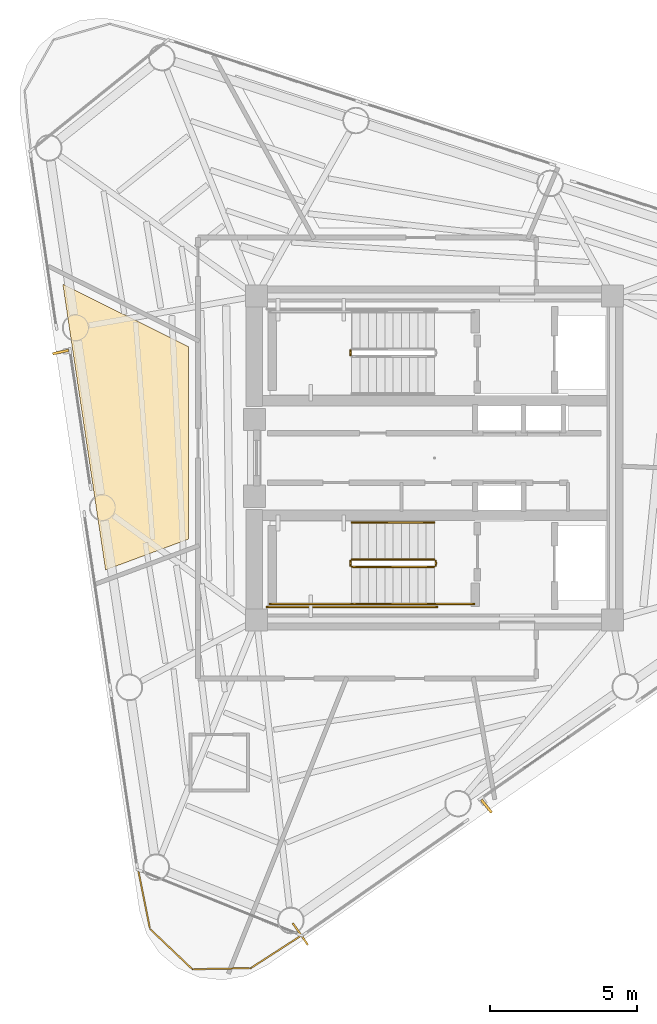
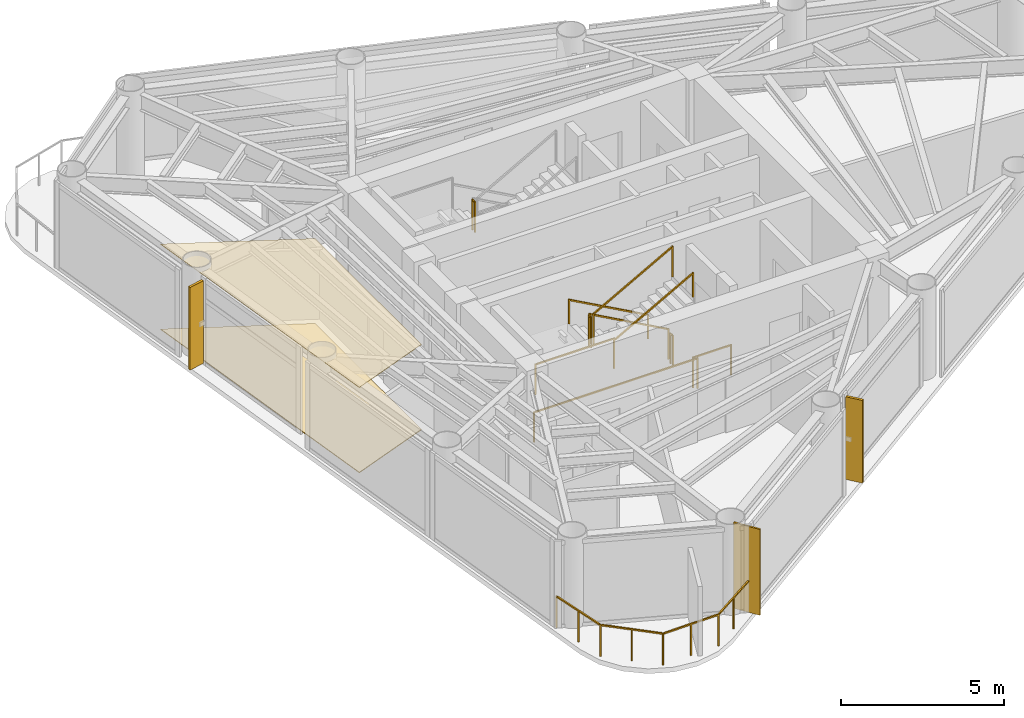
# One storey, part 7 of 9: 11 railings, 3 coverings, 2 shading devices.
"""IFC4 building model written with IfcOpenShell, lengths in metres."""

from ifc_helpers import new_model, si_unit, direction, frame, origin, origin_2d, place, context, subcontext, project, spatial, polyline, rectangle, outline, extrude, source, transform, mapped, material, layer, layer_set, material_profile, profile_set, type_object, element, save


model = new_model("IFC4")

# Units and contexts
model_context = context("Model", 3, precision=1e-05, world=origin(), true_north=direction((0.0, 1.0)))
body_context = subcontext(model_context, "Body", "Model", "MODEL_VIEW")
ifc_project = project(units=[si_unit("LENGTHUNIT", "METRE"), si_unit("AREAUNIT", "SQUARE_METRE"), si_unit("VOLUMEUNIT", "CUBIC_METRE"), si_unit("PLANEANGLEUNIT", "RADIAN"), si_unit("MASSUNIT", "GRAM", prefix="KILO")], contexts=[model_context])

# Site, building, storey
site_placement = place(None, origin())
site = spatial("IfcSite", under=ifc_project, at=site_placement, CompositionType="ELEMENT")
building_placement = place(site_placement, origin())
building = spatial("IfcBuilding", under=site, at=building_placement, Name="Yunling Apex Tower", CompositionType="ELEMENT")
storey_placement = place(building_placement, frame((0.0, 0.0, 267.75)))
storey = spatial("IfcBuildingStorey", under=building, at=storey_placement, Name="L65", CompositionType="ELEMENT", Elevation=267.75)

# Coverings
ifc_material_1 = material(Name="Acoustic mineral fibre ceiling")
ifc_layer_1 = layer(ifc_material_1, 0.02490234375)
ifc_layer_set_1 = layer_set([ifc_layer_1], Name="Acoustic mineral fibre ceiling")
covering_type_1 = type_object("IfcCoveringType", Name="CV-CLG-1", PredefinedType="CEILING", material=ifc_layer_set_1)
covering_1_placement = place(storey_placement, frame((0.0, 0.0, 3.195068359375)))
element("IfcCovering", 1, at=covering_1_placement, inside=storey, type_object=covering_type_1, Name="CV-CL-SP-L65-AMN7", PredefinedType="CEILING", context=body_context, shape_type="SweptSolid", body=[
    extrude(outline(polyline([(-11.17919921875, -3.805419921875), (-12.6298828125, 5.901123046875), (-8.3701171875, 3.78662109375), (-8.3701171875, -2.7607421875), (-11.17919921875, -3.805419921875)])), origin(), (0.0, 0.0, 1.0), 0.02490234375),
])
ifc_material_2 = material(Name="Polished granite stone", Category="masonry")
ifc_layer_2 = layer(ifc_material_2, 0.030029296875)
ifc_layer_set_2 = layer_set([ifc_layer_2], Name="Polished granite stone")
covering_type_2 = type_object("IfcCoveringType", Name="CV-FLR-1", PredefinedType="FLOORING", material=ifc_layer_set_2)
covering_2_placement = place(storey_placement, origin())
element("IfcCovering", 2, at=covering_2_placement, inside=storey, type_object=covering_type_2, Name="CV-FL-SP-L65-AMN7", PredefinedType="FLOORING", context=body_context, shape_type="SweptSolid", body=[
    extrude(outline(polyline([(-11.17919921875, -3.805419921875), (-12.6298828125, 5.901123046875), (-8.3701171875, 3.78662109375), (-8.3701171875, -2.7607421875), (-11.17919921875, -3.805419921875)])), origin(), (0.0, 0.0, 1.0), 0.030029296875),
])

# Railings
ifc_material_3 = material(Name="Bronze anodised aluminium", Category="aluminium")
railing_type_1 = type_object("IfcRailingType", Name="RL-BAL-1200", PredefinedType="BALUSTRADE", material=ifc_material_3)
railing_1_placement = place(storey_placement, frame((-4.528564453125, -16.22509765625, 0.0)))
element("IfcRailing", 3, at=railing_1_placement, inside=storey, type_object=railing_type_1, Name="RL-CRNSILL-L65-3", PredefinedType="BALUSTRADE", context=body_context, shape_type="SweptSolid", body=[
    extrude(rectangle(XDim=0.0439453125, YDim=0.0439453125, at=origin_2d()), origin(), (0.0, 0.0, 1.0), 1.199951171875),
    extrude(rectangle(XDim=0.0439453125, YDim=0.0439453125, at=origin_2d()), frame((-1.718017578125, -1.109130859375, 0.0)), (0.0, 0.0, 1.0), 1.199951171875),
    extrude(rectangle(XDim=0.050048828125, YDim=0.050048828125, at=origin_2d()), frame((-0.0322265625, -0.020751953125, 1.1748046875), z_axis=(-0.840133449473, -0.542379744345, 0.0), x_axis=(0.542379744345, -0.840133449473, 0.0)), (0.0, 0.0, 1.0), 1.96826171875),
    extrude(rectangle(XDim=0.0439453125, YDim=0.0439453125, at=origin_2d()), frame((-0.85888671875, -0.5546875, 0.0)), (0.0, 0.0, 1.0), 1.14599609375),
    extrude(rectangle(XDim=0.0439453125, YDim=0.0439453125, at=origin_2d()), frame((-3.700439453125, -1.147705078125, 0.0)), (0.0, 0.0, 1.0), 1.199951171875),
    extrude(rectangle(XDim=0.050048828125, YDim=0.050048828125, at=origin_2d()), frame((-1.75634765625, -1.10986328125, 1.1748046875), z_axis=(-0.999810744366, -0.019454445518, 0.0), x_axis=(0.019454445518, -0.999810744366, 0.0)), (0.0, 0.0, 1.0), 1.90625),
    extrude(rectangle(XDim=0.0439453125, YDim=0.0439453125, at=origin_2d()), frame((-2.709228515625, -1.12841796875, 0.0)), (0.0, 0.0, 1.0), 1.14599609375),
    extrude(rectangle(XDim=0.0439453125, YDim=0.0439453125, at=origin_2d()), frame((-5.141845703125, 0.223388671875, 0.0)), (0.0, 0.0, 1.0), 1.199951171875),
    extrude(rectangle(XDim=0.050048828125, YDim=0.050048828125, at=origin_2d()), frame((-3.728271484375, -1.121337890625, 1.1748046875), z_axis=(-0.72455806169, 0.689213765998, 0.0), x_axis=(-0.689213765998, -0.72455806169, 0.0)), (0.0, 0.0, 1.0), 1.91259765625),
    extrude(rectangle(XDim=0.0439453125, YDim=0.0439453125, at=origin_2d()), frame((-4.421142578125, -0.462158203125, 0.0)), (0.0, 0.0, 1.0), 1.14599609375),
    extrude(rectangle(XDim=0.0439453125, YDim=0.0439453125, at=origin_2d()), frame((-5.542236328125, 2.228271484375, 0.0)), (0.0, 0.0, 1.0), 1.199951171875),
    extrude(rectangle(XDim=0.050048828125, YDim=0.050048828125, at=origin_2d()), frame((-5.1494140625, 0.260986328125, 1.1748046875), z_axis=(-0.195840554381, 0.980635751571, 0.0), x_axis=(-0.980635751571, -0.195840554381, 0.0)), (0.0, 0.0, 1.0), 1.9677734375),
    extrude(rectangle(XDim=0.0439453125, YDim=0.0439453125, at=origin_2d()), frame((-5.342041015625, 1.225830078125, 0.0)), (0.0, 0.0, 1.0), 1.14599609375),
])
ifc_material_4 = material(Name="Steel Q355B", Category="steel")
railing_type_2 = type_object("IfcRailingType", Name="RL-GRD-1150", PredefinedType="GUARDRAIL", material=ifc_material_4)
railing_2_placement = place(storey_placement, frame((-2.860107421875, 3.64990234375, 1.699951171875)))
element("IfcRailing", 4, at=railing_2_placement, inside=storey, type_object=railing_type_2, Name="L65 ST-1 stair guard 2", PredefinedType="GUARDRAIL", context=body_context, shape_type="SweptSolid", body=[
    extrude(rectangle(XDim=0.0439453125, YDim=0.0439453125, at=origin_2d()), origin(), (0.0, 0.0, 1.0), 1.14990234375),
    extrude(rectangle(XDim=0.0439453125, YDim=0.0439453125, at=origin_2d()), frame((0.0, -0.14990234375, 0.0)), (0.0, 0.0, 1.0), 1.14990234375),
    extrude(rectangle(XDim=0.050048828125, YDim=0.050048828125, at=origin_2d()), frame((0.0, -0.038330078125, 1.125), z_axis=(0.0, -1.0, 0.0), x_axis=(1.0, 0.0, 0.0)), (0.0, 0.0, 1.0), 0.0732421875),
])
railing_3_placement = place(storey_placement, frame((-0.010009765625, -3.449951171875, 0.154541015625)))
element("IfcRailing", 5, at=railing_3_placement, inside=storey, type_object=railing_type_2, Name="L65 ST-2 stair guard 1", PredefinedType="GUARDRAIL", context=body_context, shape_type="SweptSolid", body=[
    extrude(rectangle(XDim=0.0439453125, YDim=0.0439453125, at=origin_2d()), origin(), (0.0, 0.0, 1.0), 1.14990234375),
    extrude(rectangle(XDim=0.0439453125, YDim=0.0439453125, at=origin_2d()), frame((-2.800048828125, 0.0, 1.54541015625)), (0.0, 0.0, 1.0), 1.14990234375),
    extrude(rectangle(XDim=0.050048828125, YDim=0.050048828125, at=origin_2d()), frame((-0.033447265625, 0.0, 1.143310546875), z_axis=(-0.875504190374, 0.0, 0.483210526207), x_axis=(0.0, -1.0, 0.0)), (0.0, 0.0, 1.0), 3.12158203125),
])
railing_4_placement = place(storey_placement, frame((-2.860107421875, -3.5, 1.699951171875)))
element("IfcRailing", 6, at=railing_4_placement, inside=storey, type_object=railing_type_2, Name="L65 ST-2 stair guard 2", PredefinedType="GUARDRAIL", context=body_context, shape_type="SweptSolid", body=[
    extrude(rectangle(XDim=0.0439453125, YDim=0.0439453125, at=origin_2d()), origin(), (0.0, 0.0, 1.0), 1.14990234375),
    extrude(rectangle(XDim=0.0439453125, YDim=0.0439453125, at=origin_2d()), frame((0.0, -0.14990234375, 0.0)), (0.0, 0.0, 1.0), 1.14990234375),
    extrude(rectangle(XDim=0.050048828125, YDim=0.050048828125, at=origin_2d()), frame((0.0, -0.038330078125, 1.125), z_axis=(0.0, -1.0, 0.0), x_axis=(1.0, 0.0, 0.0)), (0.0, 0.0, 1.0), 0.0732421875),
])
railing_5_placement = place(storey_placement, frame((-2.81005859375, -4.9599609375, 1.699951171875)))
element("IfcRailing", 7, at=railing_5_placement, inside=storey, type_object=railing_type_2, Name="L65 ST-2 stair guard 3", PredefinedType="GUARDRAIL", context=body_context, shape_type="SweptSolid", body=[
    extrude(rectangle(XDim=0.0439453125, YDim=0.0439453125, at=origin_2d()), origin(), (0.0, 0.0, 1.0), 1.14990234375),
    extrude(rectangle(XDim=0.0439453125, YDim=0.0439453125, at=origin_2d()), frame((-2.7900390625, 0.0, 0.0)), (0.0, 0.0, 1.0), 1.14990234375),
    extrude(rectangle(XDim=0.050048828125, YDim=0.050048828125, at=origin_2d()), frame((-0.038330078125, 0.0, 1.125), z_axis=(-1.0, 0.0, 0.0), x_axis=(0.0, -1.0, 0.0)), (0.0, 0.0, 1.0), 2.71337890625),
])
railing_6_placement = place(storey_placement, frame((-2.81005859375, -3.699951171875, 1.8544921875)))
element("IfcRailing", 8, at=railing_6_placement, inside=storey, type_object=railing_type_2, Name="L65 ST-2 stair guard 4", PredefinedType="GUARDRAIL", context=body_context, shape_type="SweptSolid", body=[
    extrude(rectangle(XDim=0.0439453125, YDim=0.0439453125, at=origin_2d()), origin(), (0.0, 0.0, 1.0), 1.14990234375),
    extrude(rectangle(XDim=0.0439453125, YDim=0.0439453125, at=origin_2d()), frame((2.800048828125, 0.0, 1.54541015625)), (0.0, 0.0, 1.0), 1.14990234375),
    extrude(rectangle(XDim=0.050048828125, YDim=0.050048828125, at=origin_2d()), frame((0.033447265625, 0.0, 1.143310546875), z_axis=(0.875504190374, 0.0, 0.483210526207), x_axis=(0.0, 1.0, 0.0)), (0.0, 0.0, 1.0), 3.12158203125),
])
railing_7_placement = place(storey_placement, frame((0.0400390625, -3.5, 0.0)))
element("IfcRailing", 9, at=railing_7_placement, inside=storey, type_object=railing_type_2, Name="L65 ST-2 stair guard 5", PredefinedType="GUARDRAIL", context=body_context, shape_type="SweptSolid", body=[
    extrude(rectangle(XDim=0.0439453125, YDim=0.0439453125, at=origin_2d()), origin(), (0.0, 0.0, 1.0), 1.14990234375),
    extrude(rectangle(XDim=0.0439453125, YDim=0.0439453125, at=origin_2d()), frame((0.0, -0.14990234375, 0.0)), (0.0, 0.0, 1.0), 1.14990234375),
    extrude(rectangle(XDim=0.050048828125, YDim=0.050048828125, at=origin_2d()), frame((0.0, -0.038330078125, 1.125), z_axis=(0.0, -1.0, 0.0), x_axis=(1.0, 0.0, 0.0)), (0.0, 0.0, 1.0), 0.0732421875),
])
railing_8_placement = place(storey_placement, frame((1.35009765625, -4.9599609375, 0.0)))
element("IfcRailing", 10, at=railing_8_placement, inside=storey, type_object=railing_type_2, Name="L65 ST-2 stair guard 6", PredefinedType="GUARDRAIL", context=body_context, shape_type="SweptSolid", body=[
    extrude(rectangle(XDim=0.0439453125, YDim=0.0439453125, at=origin_2d()), origin(), (0.0, 0.0, 1.0), 1.14990234375),
    extrude(rectangle(XDim=0.0439453125, YDim=0.0439453125, at=origin_2d()), frame((-1.360107421875, 0.0, 0.0)), (0.0, 0.0, 1.0), 1.14990234375),
    extrude(rectangle(XDim=0.050048828125, YDim=0.050048828125, at=origin_2d()), frame((-0.038330078125, 0.0, 1.125), z_axis=(-1.0, 0.0, 0.0), x_axis=(0.0, -1.0, 0.0)), (0.0, 0.0, 1.0), 1.283447265625),
])
railing_9_placement = place(storey_placement, frame((0.090087890625, -5.06005859375, 0.0)))
element("IfcRailing", 11, at=railing_9_placement, inside=storey, type_object=railing_type_2, Name="L65 ST-2 stair guard 7", PredefinedType="GUARDRAIL", context=body_context, shape_type="SweptSolid", body=[
    extrude(rectangle(XDim=0.0439453125, YDim=0.0439453125, at=origin_2d()), origin(), (0.0, 0.0, 1.0), 1.14990234375),
    extrude(rectangle(XDim=0.0439453125, YDim=0.0439453125, at=origin_2d()), frame((-5.7900390625, 0.0, 0.0)), (0.0, 0.0, 1.0), 1.14990234375),
    extrude(rectangle(XDim=0.050048828125, YDim=0.050048828125, at=origin_2d()), frame((-0.038330078125, 0.0, 1.125), z_axis=(-1.0, 0.0, 0.0), x_axis=(0.0, -1.0, 0.0)), (0.0, 0.0, 1.0), 5.71337890625),
])
ifc_material_5 = material(Name="Silver anodised aluminium", Category="aluminium")
railing_type_3 = type_object("IfcRailingType", Name="RL-HND-900", PredefinedType="HANDRAIL", material=ifc_material_5)
railing_10_placement = place(storey_placement, frame((-0.010009765625, -2.18994140625, 0.154541015625)))
element("IfcRailing", 12, at=railing_10_placement, inside=storey, type_object=railing_type_3, Name="L65 ST-2 stair handrail 1", PredefinedType="HANDRAIL", context=body_context, shape_type="SweptSolid", body=[
    extrude(rectangle(XDim=0.0439453125, YDim=0.0439453125, at=origin_2d()), origin(), (0.0, 0.0, 1.0), 0.919921875),
    extrude(rectangle(XDim=0.0439453125, YDim=0.0439453125, at=origin_2d()), frame((-2.800048828125, 0.0, 1.54541015625)), (0.0, 0.0, 1.0), 0.919921875),
    extrude(rectangle(XDim=0.050048828125, YDim=0.050048828125, at=origin_2d()), frame((-0.033447265625, 0.0, 0.913330078125), z_axis=(-0.875504190374, 0.0, 0.483210526207), x_axis=(0.0, -1.0, 0.0)), (0.0, 0.0, 1.0), 3.12158203125),
])
railing_11_placement = place(storey_placement, frame((-2.81005859375, -4.9599609375, 1.8544921875)))
element("IfcRailing", 13, at=railing_11_placement, inside=storey, type_object=railing_type_3, Name="L65 ST-2 stair handrail 2", PredefinedType="HANDRAIL", context=body_context, shape_type="SweptSolid", body=[
    extrude(rectangle(XDim=0.0439453125, YDim=0.0439453125, at=origin_2d()), origin(), (0.0, 0.0, 1.0), 0.919921875),
    extrude(rectangle(XDim=0.0439453125, YDim=0.0439453125, at=origin_2d()), frame((2.800048828125, 0.0, 1.54541015625)), (0.0, 0.0, 1.0), 0.919921875),
    extrude(rectangle(XDim=0.050048828125, YDim=0.050048828125, at=origin_2d()), frame((0.033447265625, 0.0, 0.913330078125), z_axis=(0.875504190374, 0.0, 0.483210526207), x_axis=(0.0, 1.0, 0.0)), (0.0, 0.0, 1.0), 3.12158203125),
])

# Covering
ifc_layer_3 = layer(ifc_material_3, 0.0400390625)
ifc_layer_set_3 = layer_set([ifc_layer_3], Name="Bronze anodised aluminium")
covering_type_3 = type_object("IfcCoveringType", Name="CV-CLD-1", PredefinedType="CLADDING", material=ifc_layer_set_3)
shared_shape_1 = source(origin(), body_context, "Body", "SweptSolid", [
    extrude(rectangle(XDim=0.06005859375, YDim=0.89990234375, at=origin_2d()), origin(), (0.0, 0.0, 1.0), 3.219970703125),
])
covering_3_placement = place(storey_placement, frame((-4.56298828125, -16.17578125, 0.0), z_axis=(0.0, 0.0, 1.0), x_axis=(0.819552276527, 0.573004420611, 0.0)))
element("IfcCovering", 14, at=covering_3_placement, inside=storey, type_object=covering_type_3, Name="CV-CLD-L65", PredefinedType="CLADDING", context=body_context, shape_type="MappedRepresentation", body=[
    mapped(shared_shape_1, transform((0.0, 0.0, 0.0), scale=1.0)),
])

# Shading devices
ifc_material_profile = material_profile(ifc_material_3, rectangle(XDim=0.0849609375, YDim=0.550048828125, at=origin_2d()))
ifc_profile_set = profile_set([ifc_material_profile], Name="Bronze anodised aluminium")
shading_device_type = type_object("IfcShadingDeviceType", Name="FN-BRZ-3", PredefinedType="USERDEFINED", material=ifc_profile_set)
shared_shape_2 = source(origin(), body_context, "Body", "SweptSolid", [
    extrude(rectangle(XDim=0.0849609375, YDim=0.550048828125, at=origin_2d()), origin(), (0.0, 0.0, 1.0), 3.10009765625),
])
for number, where, z_axis, x_axis, name in (
    (15, (1.76171875, -11.8330078125, 0.06005859375), (0.0, 0.0, 1.0), (0.780321270022, 0.625378857614, 0.0), "CW-L65-F1-B2-FIN-01"),
    (16, (-12.705322265625, 3.598876953125, 0.06005859375), (0.0, 0.0, 1.0), (0.212177672156, -0.977231106463, 0.0), "CW-L65-F3-B2-FIN-01"),
):
    element("IfcShadingDevice", number, at=place(storey_placement, frame(where, z_axis=z_axis, x_axis=x_axis)), inside=storey, type_object=shading_device_type, Name=name, ObjectType="FIN", PredefinedType="USERDEFINED", context=body_context, shape_type="MappedRepresentation", body=[
        mapped(shared_shape_2, transform((0.0, 0.0, 0.0), scale=1.0)),
    ])

save(model, "model.ifc")
